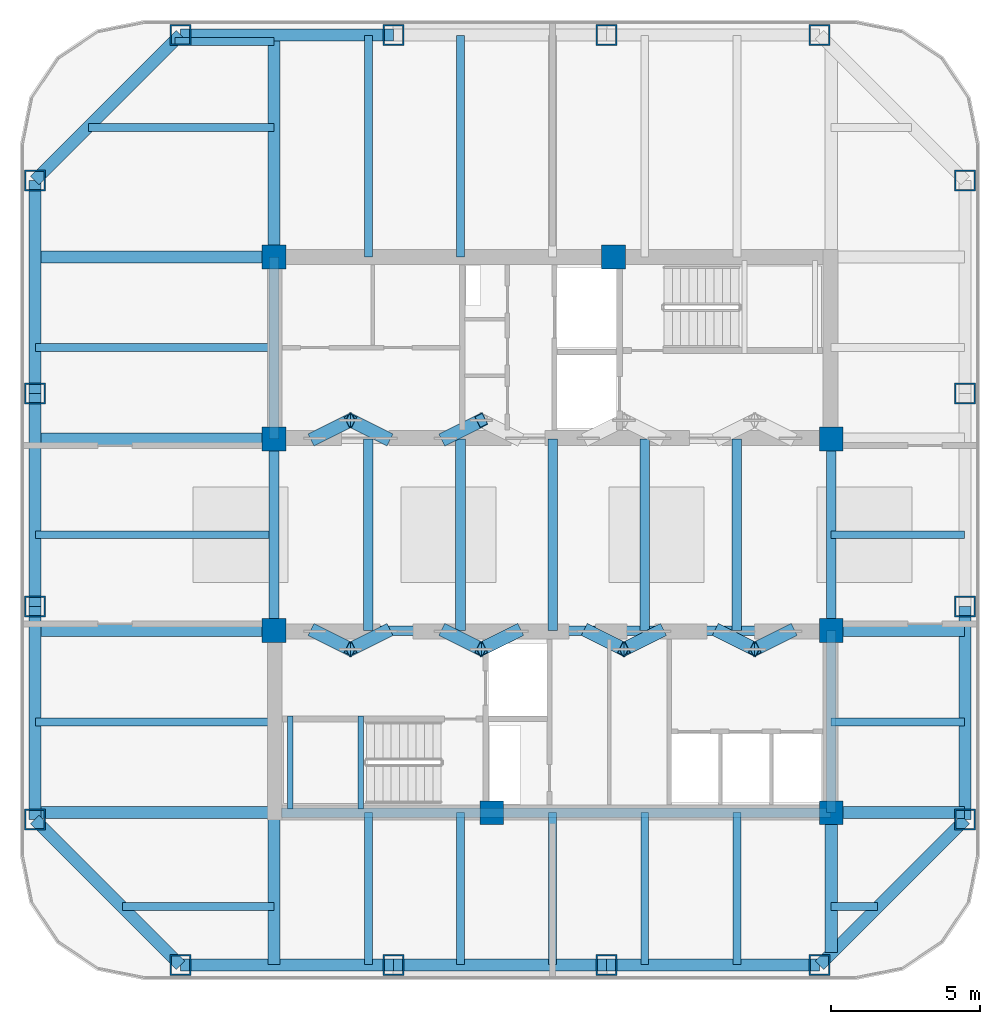
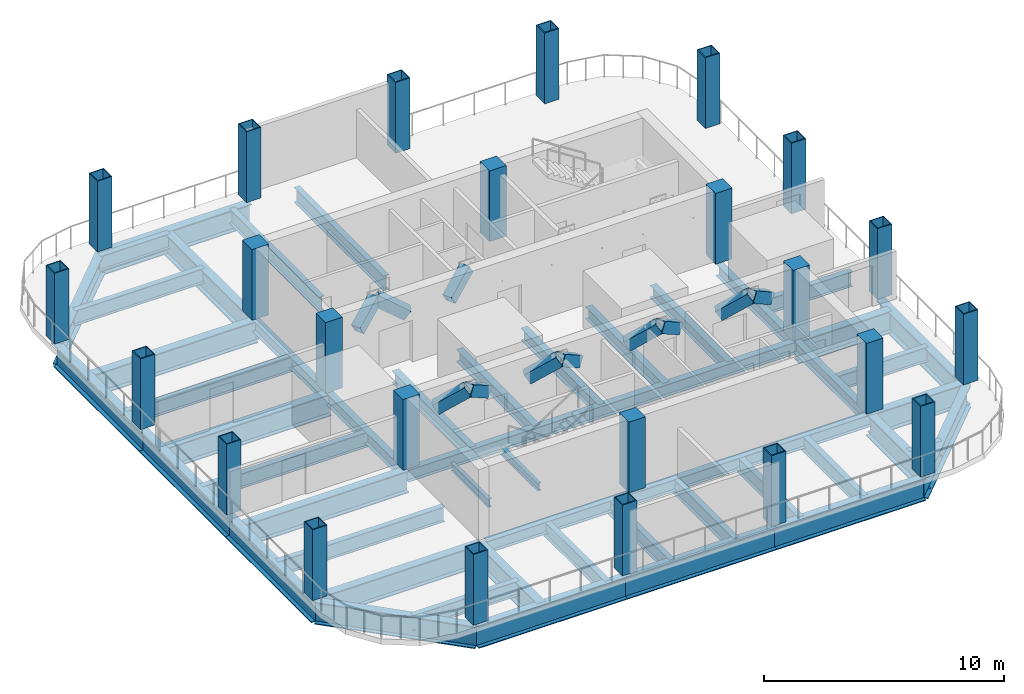
# One storey, part 1 of 9: 49 beams, 24 columns, 11 members.
"""IFC4 building model written with IfcOpenShell, lengths in metres."""

import ifcopenshell
import ifcopenshell.guid

model = None  # the IFC model being written
_history = None  # IfcOwnerHistory: only IFC2X3 demands one
_inside = {}  # id of a spatial element -> (the spatial element, [elements in it])
_under = {}  # id of a project, library or spatial element -> (it, [spatial elements below it])
_declared = {}  # id of a project -> (the project, [libraries it declares])
_typed = {}  # id of a type object -> (the type object, [elements of that type])
_made_of = {}  # id of a material, layer set ... -> (it, [elements and type objects made of it])


def new_model(schema):
    """Start an empty IFC model of exactly this schema.

    Asked for "IFC4X3", IfcOpenShell would pick the latest addendum, in which some entities
    have other attributes; the version numbers below select the first issue.
    IFC2X3 requires an IfcOwnerHistory on every rooted entity: one is made here for all.
    """
    global model, _history
    if schema == "IFC4X3":
        model = ifcopenshell.file(schema_version=(4, 3, 0, 0))
    else:
        model = ifcopenshell.file(schema=schema)
    _inside.clear()
    _under.clear()
    _declared.clear()
    _typed.clear()
    _made_of.clear()
    _history = None
    if model.schema == "IFC2X3":
        org = make("IfcOrganization", Name="unknown")
        user = make(
            "IfcPersonAndOrganization",
            ThePerson=make("IfcPerson", FamilyName="unknown"),
            TheOrganization=org,
        )
        app = make(
            "IfcApplication",
            ApplicationDeveloper=org,
            Version="unknown",
            ApplicationFullName="unknown",
            ApplicationIdentifier="unknown",
        )
        _history = make(
            "IfcOwnerHistory",
            OwningUser=user,
            OwningApplication=app,
            ChangeAction="ADDED",
            CreationDate=0,
        )
    return model


def make(cls, **values):
    """One entity of the class cls with the attributes given. An attribute that is None is left unset."""
    return model.create_entity(
        cls, **{name: value for name, value in values.items() if value is not None}
    )


def rooted(cls, **values):
    """An entity with a GlobalId (a new one), such as an element, a storey or a relation."""
    return make(cls, GlobalId=ifcopenshell.guid.new(), OwnerHistory=_history, **values)


def si_unit(unit_type, name, prefix=None):
    """IfcSIUnit, for example si_unit("LENGTHUNIT", "METRE", prefix="MILLI")."""
    return make("IfcSIUnit", UnitType=unit_type, Prefix=prefix, Name=name)


def assignment(units):
    """IfcUnitAssignment: the units of a project."""
    return None if units is None else make("IfcUnitAssignment", Units=units)


def point(xyz):
    """IfcCartesianPoint."""
    return None if xyz is None else make("IfcCartesianPoint", Coordinates=xyz)


def direction(xyz):
    """IfcDirection."""
    return None if xyz is None else make("IfcDirection", DirectionRatios=xyz)


def frame(location, z_axis=None, x_axis=None):
    """IfcAxis2Placement3D, a coordinate frame: its origin and axes. An axis left out is left unset."""
    return make(
        "IfcAxis2Placement3D",
        Location=point(location),
        Axis=direction(z_axis),
        RefDirection=direction(x_axis),
    )


def frame_2d(location, x_axis=None):
    """IfcAxis2Placement2D, a coordinate frame in the plane: its origin and x axis."""
    return make(
        "IfcAxis2Placement2D", Location=point(location), RefDirection=direction(x_axis)
    )


def origin():
    """The frame at (0, 0, 0) with its axes left unset."""
    return frame((0.0, 0.0, 0.0))


def origin_2d():
    """The frame at (0, 0) in the plane with its x axis left unset."""
    return frame_2d((0.0, 0.0))


def place(relative_to, where):
    """IfcLocalPlacement: puts the frame where relative to a parent placement (None: the world)."""
    return make(
        "IfcLocalPlacement", PlacementRelTo=relative_to, RelativePlacement=where
    )


def context(
    kind, dimensions, precision=None, world=None, true_north=None, identifier=None
):
    """IfcGeometricRepresentationContext, for example the 3D "Model" context."""
    return make(
        "IfcGeometricRepresentationContext",
        ContextIdentifier=identifier,
        ContextType=kind,
        CoordinateSpaceDimension=dimensions,
        Precision=precision,
        WorldCoordinateSystem=world,
        TrueNorth=true_north,
    )


def subcontext(parent, identifier, kind, view, scale=None):
    """IfcGeometricRepresentationSubContext, for example "Body" below "Model"."""
    return make(
        "IfcGeometricRepresentationSubContext",
        ContextIdentifier=identifier,
        ContextType=kind,
        ParentContext=parent,
        TargetScale=scale,
        TargetView=view,
    )


def project(units=None, contexts=None):
    """IfcProject with its units and contexts."""
    return rooted(
        "IfcProject",
        Name="project",
        RepresentationContexts=contexts,
        UnitsInContext=assignment(units),
    )


def spatial(cls, under=None, at=None, **own):
    """A site, building, storey or space (cls), placed at a placement, below another one or the project."""
    s = rooted(cls, ObjectPlacement=at, **own)
    if under is not None:
        _under.setdefault(under.id(), (under, []))[1].append(s)
    return s


def profile(cls, at=None, kind="AREA", **sizes):
    """A parametric profile (cls). Its sizes go by their IFC names, for example OverallWidth=200.0."""
    return make(cls, ProfileType=kind, Position=at, **sizes)


def rectangle(**sizes):
    """IfcRectangleProfileDef."""
    return profile("IfcRectangleProfileDef", **sizes)


def hollow_rectangle(**sizes):
    """IfcRectangleHollowProfileDef."""
    return profile("IfcRectangleHollowProfileDef", **sizes)


def i_section(**sizes):
    """IfcIShapeProfileDef."""
    return profile("IfcIShapeProfileDef", **sizes)


def extrude(swept, where, along, depth):
    """IfcExtrudedAreaSolid: the profile swept, set in the frame where, extruded along a direction by depth."""
    return make(
        "IfcExtrudedAreaSolid",
        SweptArea=swept,
        Position=where,
        ExtrudedDirection=direction(along),
        Depth=depth,
    )


def shape(context_of_items, identifier, shape_type, items):
    """IfcShapeRepresentation: the items that make up one representation, for example the "Body"."""
    return make(
        "IfcShapeRepresentation",
        ContextOfItems=context_of_items,
        RepresentationIdentifier=identifier,
        RepresentationType=shape_type,
        Items=items,
    )


def material(Name=None, Category=None):
    """IfcMaterial."""
    return make("IfcMaterial", Name=Name, Category=Category)


def material_profile(
    of_material, cross_section, Name=None, Category=None, Priority=None
):
    """IfcMaterialProfile: a cross section and its material."""
    return make(
        "IfcMaterialProfile",
        Name=Name,
        Material=of_material,
        Profile=cross_section,
        Priority=Priority,
        Category=Category,
    )


def profile_set(profiles, Name=None, composite=None):
    """IfcMaterialProfileSet."""
    return make(
        "IfcMaterialProfileSet",
        Name=Name,
        MaterialProfiles=profiles,
        CompositeProfile=composite,
    )


def made_of(thing, what):
    """Note that an element or type object is made of a material, layer set ...; save() writes the relation."""
    if what is not None:
        _made_of.setdefault(what.id(), (what, []))[1].append(thing)
    return thing


def type_object(cls, material=None, **own):
    """A type object (cls), such as IfcWallType, which elements share."""
    return made_of(rooted(cls, **own), material)


def element(
    cls,
    number,
    at=None,
    inside=None,
    cuts=None,
    type_object=None,
    material=None,
    context=None,
    identifier="Body",
    shape_type=None,
    held_by="IfcProductDefinitionShape",
    body=None,
    shapes=None,
    **own,
):
    """One element of the class cls, such as IfcWall. Its Tag is "e" and its number.

    at: its placement. inside: the storey or other place that contains it. cuts: it is an
    opening in that element (IfcRelVoidsElement). A single representation is given by context,
    identifier, shape_type and body (its items); several are given by shapes. held_by: the class
    of the entity that holds the representations. save() writes the other relations.
    """
    e = rooted(cls, Tag="e%d" % number, ObjectPlacement=at, **own)
    if body is not None:
        shapes = [shape(context, identifier, shape_type, body)]
    if shapes is not None:
        e.Representation = make(held_by, Representations=shapes)
    if inside is not None:
        _inside.setdefault(inside.id(), (inside, []))[1].append(e)
    if cuts is not None:
        rooted(
            "IfcRelVoidsElement", RelatingBuildingElement=cuts, RelatedOpeningElement=e
        )
    if type_object is not None:
        _typed.setdefault(type_object.id(), (type_object, []))[1].append(e)
    return made_of(e, material)


def aggregate(whole, parts):
    """IfcRelAggregates: a whole, such as a stair, and the parts it consists of."""
    return rooted("IfcRelAggregates", RelatingObject=whole, RelatedObjects=parts)


def save(model, path):
    """Write the relations noted so far, then the file.

    IfcRelAggregates (storeys below a building ...), IfcRelContainedInSpatialStructure (elements
    in a storey), IfcRelDefinesByType, IfcRelAssociatesMaterial and IfcRelDeclares: one each for
    every whole, place, type object, material and project.
    """
    for whole, parts in _under.values():
        aggregate(whole, parts)
    for where, things in _inside.values():
        rooted(
            "IfcRelContainedInSpatialStructure",
            RelatedElements=things,
            RelatingStructure=where,
        )
    for kind, things in _typed.values():
        rooted("IfcRelDefinesByType", RelatedObjects=things, RelatingType=kind)
    for what, things in _made_of.values():
        rooted("IfcRelAssociatesMaterial", RelatedObjects=things, RelatingMaterial=what)
    for by, libraries in _declared.values():
        rooted("IfcRelDeclares", RelatingContext=by, RelatedDefinitions=libraries)
    model.write(path)


model = new_model("IFC4")

# Units and contexts
model_context = context("Model", 3, precision=1e-05, world=origin(), true_north=direction((0.0, 1.0)))
body_context = subcontext(model_context, "Body", "Model", "MODEL_VIEW")
ifc_project = project(units=[si_unit("LENGTHUNIT", "METRE"), si_unit("AREAUNIT", "SQUARE_METRE"), si_unit("VOLUMEUNIT", "CUBIC_METRE"), si_unit("PLANEANGLEUNIT", "RADIAN"), si_unit("MASSUNIT", "GRAM", prefix="KILO")], contexts=[model_context])

# Site, building, storey
site_placement = place(None, origin())
site = spatial("IfcSite", under=ifc_project, at=site_placement, CompositionType="ELEMENT")
building_placement = place(site_placement, origin())
building = spatial("IfcBuilding", under=site, at=building_placement, Name="Qhalaya Broadcast Tower", CompositionType="ELEMENT")
storey_placement = place(building_placement, frame((0.0, 0.0, 191.550048828125)))
storey = spatial("IfcBuildingStorey", under=building, at=storey_placement, Name="L56", CompositionType="ELEMENT", Elevation=191.550048828125)

# Columns
ifc_material_1 = material(Name="Concrete C50/60", Category="concrete")
ifc_material_profile_1 = material_profile(ifc_material_1, rectangle(XDim=0.800048828125, YDim=0.800048828125, at=origin_2d()), Name="RC-COL 800x800")
ifc_profile_set_1 = profile_set([ifc_material_profile_1], Name="Concrete C50/60")
column_type_1 = type_object("IfcColumnType", Name="RC Upper Column C10", PredefinedType="COLUMN", material=ifc_profile_set_1)
for number, where, z_axis, x_axis, name in (
    (1, (-9.375, 9.949951171875, 0.0), (0.0, 0.0, 1.0), (1.0, 0.0, 0.0), "L56 Column COL-CC1"),
    (2, (2.050048828125, 9.949951171875, 0.0), (0.0, 0.0, 1.0), (1.0, 0.0, 0.0), "L56 Column COL-CC2"),
    (3, (-9.375, 3.824951171875, 0.0), (0.0, 0.0, 1.0), (1.0, 0.0, 0.0), "L56 Column COL-CC3"),
    (4, (9.375, 3.824951171875, 0.0), (0.0, 0.0, 1.0), (1.0, 0.0, 0.0), "L56 Column COL-CC4"),
    (5, (-9.375, -2.625, 0.0), (0.0, 0.0, 1.0), (1.0, 0.0, 0.0), "L56 Column COL-CC5"),
    (6, (9.375, -2.625, 0.0), (0.0, 0.0, 1.0), (1.0, 0.0, 0.0), "L56 Column COL-CC6"),
    (7, (-2.050048828125, -8.75, 0.0), (0.0, 0.0, 1.0), (1.0, 0.0, 0.0), "L56 Column COL-CC7"),
    (8, (9.375, -8.75, 0.0), (0.0, 0.0, 1.0), (1.0, 0.0, 0.0), "L56 Column COL-CC8"),
):
    element("IfcColumn", number, at=place(storey_placement, frame(where, z_axis=z_axis, x_axis=x_axis)), inside=storey, type_object=column_type_1, Name=name, PredefinedType="COLUMN", context=body_context, shape_type="SweptSolid", body=[
        extrude(rectangle(XDim=0.800048828125, YDim=0.800048828125, at=origin_2d()), origin(), (0.0, 0.0, 1.0), 3.599853515625),
    ])
ifc_material_2 = material(Name="Structural Steel ASTM A572 Grade 50", Category="steel")
ifc_material_profile_2 = material_profile(ifc_material_2, hollow_rectangle(XDim=0.699951171875, YDim=0.699951171875, WallThickness=0.044921875, at=origin_2d()), Name="BOX 700x700x45")
ifc_profile_set_2 = profile_set([ifc_material_profile_2], Name="Structural Steel ASTM A572 Grade 50")
column_type_2 = type_object("IfcColumnType", Name="Steel Box Column C04", PredefinedType="COLUMN", material=ifc_profile_set_2)
for number, where, z_axis, x_axis, name in (
    (9, (-12.52001953125, -13.8798828125, 0.0), (0.0, 0.0, 1.0), (1.0, 0.0, 0.0), "L56 Column COL-NK01"),
    (10, (-5.353271484375, -13.8798828125, 0.0), (0.0, 0.0, 1.0), (1.0, 0.0, 0.0), "L56 Column COL-NK02"),
    (11, (1.813232421875, -13.8798828125, 0.0), (0.0, 0.0, 1.0), (1.0, 0.0, 0.0), "L56 Column COL-NK03"),
    (12, (8.97998046875, -13.8798828125, 0.0), (0.0, 0.0, 1.0), (1.0, 0.0, 0.0), "L56 Column COL-NK04"),
    (13, (13.8798828125, -8.97998046875, 0.0), (0.0, 0.0, 1.0), (0.0, 1.0, 0.0), "L56 Column COL-NK05"),
    (14, (13.8798828125, -1.813232421875, 0.0), (0.0, 0.0, 1.0), (0.0, 1.0, 0.0), "L56 Column COL-NK06"),
    (15, (13.8798828125, 5.353271484375, 0.0), (0.0, 0.0, 1.0), (0.0, 1.0, 0.0), "L56 Column COL-NK07"),
    (16, (13.8798828125, 12.52001953125, 0.0), (0.0, 0.0, 1.0), (0.0, 1.0, 0.0), "L56 Column COL-NK08"),
    (17, (8.97998046875, 17.419921875, 0.0), (0.0, 0.0, 1.0), (1.0, 0.0, 0.0), "L56 Column COL-NK09"),
    (18, (1.813232421875, 17.419921875, 0.0), (0.0, 0.0, 1.0), (1.0, 0.0, 0.0), "L56 Column COL-NK10"),
    (19, (-5.353271484375, 17.419921875, 0.0), (0.0, 0.0, 1.0), (1.0, 0.0, 0.0), "L56 Column COL-NK11"),
    (20, (-12.52001953125, 17.419921875, 0.0), (0.0, 0.0, 1.0), (1.0, 0.0, 0.0), "L56 Column COL-NK12"),
    (21, (-17.419921875, 12.52001953125, 0.0), (0.0, 0.0, 1.0), (0.0, 1.0, 0.0), "L56 Column COL-NK13"),
    (22, (-17.419921875, 5.353271484375, 0.0), (0.0, 0.0, 1.0), (0.0, 1.0, 0.0), "L56 Column COL-NK14"),
    (23, (-17.419921875, -1.813232421875, 0.0), (0.0, 0.0, 1.0), (0.0, 1.0, 0.0), "L56 Column COL-NK15"),
    (24, (-17.419921875, -8.97998046875, 0.0), (0.0, 0.0, 1.0), (0.0, 1.0, 0.0), "L56 Column COL-NK16"),
):
    element("IfcColumn", number, at=place(storey_placement, frame(where, z_axis=z_axis, x_axis=x_axis)), inside=storey, type_object=column_type_2, Name=name, PredefinedType="COLUMN", context=body_context, shape_type="SweptSolid", body=[
        extrude(hollow_rectangle(XDim=0.699951171875, YDim=0.699951171875, WallThickness=0.044921875, at=origin_2d()), origin(), (0.0, 0.0, 1.0), 3.599853515625),
    ])

# Beams
ifc_material_3 = material(Name="Structural Steel ASTM A992 Grade 50", Category="steel")
ifc_material_profile_3 = material_profile(ifc_material_3, i_section(OverallWidth=0.323974609375, OverallDepth=0.612060546875, WebThickness=0.0126953125, FlangeThickness=0.01904296875, at=origin_2d()), Name="W24X104")
ifc_profile_set_3 = profile_set([ifc_material_profile_3], Name="Structural Steel ASTM A992 Grade 50")
beam_type_1 = type_object("IfcBeamType", Name="Core Frame Tie Beam B04", PredefinedType="BEAM", material=ifc_profile_set_3)
beam_1_placement = place(storey_placement, frame((-9.375, 3.824951171875, -0.5859375), z_axis=(0.0, 1.0, 0.0), x_axis=(-1.0, 0.0, 0.0)))
element("IfcBeam", 25, at=beam_1_placement, inside=storey, type_object=beam_type_1, Name="L56 B04 L56-CCN2", PredefinedType="BEAM", context=body_context, shape_type="SweptSolid", body=[
    extrude(i_section(OverallWidth=0.323974609375, OverallDepth=0.612060546875, WebThickness=0.0126953125, FlangeThickness=0.01904296875, at=origin_2d()), origin(), (0.0, 0.0, 1.0), 6.125),
])
beam_2_placement = place(storey_placement, frame((-9.375, -2.625, -0.5859375), z_axis=(1.0, 0.0, 0.0), x_axis=(0.0, 1.0, 0.0)))
element("IfcBeam", 26, at=beam_2_placement, inside=storey, type_object=beam_type_1, Name="L56 B04 L56-CCS1", PredefinedType="BEAM", context=body_context, shape_type="SweptSolid", body=[
    extrude(i_section(OverallWidth=0.323974609375, OverallDepth=0.612060546875, WebThickness=0.0126953125, FlangeThickness=0.01904296875, at=origin_2d()), origin(), (0.0, 0.0, 1.0), 18.75),
])
beam_3_placement = place(storey_placement, frame((9.375, -8.75, -0.5859375), z_axis=(0.0, 1.0, 0.0), x_axis=(-1.0, 0.0, 0.0)))
element("IfcBeam", 27, at=beam_3_placement, inside=storey, type_object=beam_type_1, Name="L56 B04 L56-CCS2", PredefinedType="BEAM", context=body_context, shape_type="SweptSolid", body=[
    extrude(i_section(OverallWidth=0.323974609375, OverallDepth=0.612060546875, WebThickness=0.0126953125, FlangeThickness=0.01904296875, at=origin_2d()), origin(), (0.0, 0.0, 1.0), 6.125),
])
beam_4_placement = place(storey_placement, frame((-9.1201171875, -8.75, -0.5859375), z_axis=(1.0, 0.0, 0.0), x_axis=(0.0, 1.0, 0.0)))
element("IfcBeam", 28, at=beam_4_placement, inside=storey, type_object=beam_type_1, Name="L56 B04 L56-CCS3", PredefinedType="BEAM", context=body_context, shape_type="SweptSolid", body=[
    extrude(i_section(OverallWidth=0.323974609375, OverallDepth=0.612060546875, WebThickness=0.0126953125, FlangeThickness=0.01904296875, at=origin_2d()), origin(), (0.0, 0.0, 1.0), 18.4951171875),
])
for number, where, z_axis, x_axis, name in (
    (29, (-9.375, -2.625, -0.5859375), (0.0, 1.0, 0.0), (-1.0, 0.0, 0.0), "L56 B04 L56-CCW"),
    (30, (9.375, -2.625, -0.5859375), (0.0, 1.0, 0.0), (-1.0, 0.0, 0.0), "L56 B04 L56-CCE"),
    (31, (-6.199951171875, -2.625, -0.5859375), (0.0, 1.0, 0.0), (-1.0, 0.0, 0.0), "L56 B04 L56-JC1-1"),
    (32, (-3.10009765625, -2.625, -0.5859375), (0.0, 1.0, 0.0), (-1.0, 0.0, 0.0), "L56 B04 L56-JC2-1"),
    (33, (0.0, -2.625, -0.5859375), (0.0, 1.0, 0.0), (-1.0, 0.0, 0.0), "L56 B04 L56-JC3-1"),
    (34, (3.10009765625, -2.625, -0.5859375), (0.0, 1.0, 0.0), (-1.0, 0.0, 0.0), "L56 B04 L56-JC4-1"),
    (35, (6.199951171875, -2.625, -0.5859375), (0.0, 1.0, 0.0), (-1.0, 0.0, 0.0), "L56 B04 L56-JC5-1"),
):
    element("IfcBeam", number, at=place(storey_placement, frame(where, z_axis=z_axis, x_axis=x_axis)), inside=storey, type_object=beam_type_1, Name=name, PredefinedType="BEAM", context=body_context, shape_type="SweptSolid", body=[
        extrude(i_section(OverallWidth=0.323974609375, OverallDepth=0.612060546875, WebThickness=0.0126953125, FlangeThickness=0.01904296875, at=origin_2d()), origin(), (0.0, 0.0, 1.0), 6.449951171875),
    ])
ifc_material_profile_4 = material_profile(ifc_material_3, i_section(OverallWidth=0.26708984375, OverallDepth=0.761962890625, WebThickness=0.014404296875, FlangeThickness=0.021484375, at=origin_2d()), Name="W30X116")
ifc_profile_set_4 = profile_set([ifc_material_profile_4], Name="Structural Steel ASTM A992 Grade 50")
beam_type_2 = type_object("IfcBeamType", Name="Plant & Server Floor Beam B02", PredefinedType="BEAM", material=ifc_profile_set_4)
beam_5_placement = place(storey_placement, frame((-6.199951171875, -13.860107421875, -0.6611328125), z_axis=(0.0, 1.0, 0.0), x_axis=(-1.0, 0.0, 0.0)))
element("IfcBeam", 36, at=beam_5_placement, inside=storey, type_object=beam_type_2, Name="L56 B02 L56-JNS1-1", PredefinedType="BEAM", context=body_context, shape_type="SweptSolid", body=[
    extrude(i_section(OverallWidth=0.26708984375, OverallDepth=0.761962890625, WebThickness=0.014404296875, FlangeThickness=0.021484375, at=origin_2d()), origin(), (0.0, 0.0, 1.0), 5.110107421875),
])
beam_6_placement = place(storey_placement, frame((-6.199951171875, 9.949951171875, -0.6611328125), z_axis=(0.0, 1.0, 0.0), x_axis=(-1.0, 0.0, 0.0)))
element("IfcBeam", 37, at=beam_6_placement, inside=storey, type_object=beam_type_2, Name="L56 B02 L56-JNN1-1", PredefinedType="BEAM", context=body_context, shape_type="SweptSolid", body=[
    extrude(i_section(OverallWidth=0.26708984375, OverallDepth=0.761962890625, WebThickness=0.014404296875, FlangeThickness=0.021484375, at=origin_2d()), origin(), (0.0, 0.0, 1.0), 7.449951171875),
])
beam_7_placement = place(storey_placement, frame((-3.10009765625, -13.860107421875, -0.6611328125), z_axis=(0.0, 1.0, 0.0), x_axis=(-1.0, 0.0, 0.0)))
element("IfcBeam", 38, at=beam_7_placement, inside=storey, type_object=beam_type_2, Name="L56 B02 L56-JNS2-1", PredefinedType="BEAM", context=body_context, shape_type="SweptSolid", body=[
    extrude(i_section(OverallWidth=0.26708984375, OverallDepth=0.761962890625, WebThickness=0.014404296875, FlangeThickness=0.021484375, at=origin_2d()), origin(), (0.0, 0.0, 1.0), 5.110107421875),
])
beam_8_placement = place(storey_placement, frame((-3.10009765625, 9.949951171875, -0.6611328125), z_axis=(0.0, 1.0, 0.0), x_axis=(-1.0, 0.0, 0.0)))
element("IfcBeam", 39, at=beam_8_placement, inside=storey, type_object=beam_type_2, Name="L56 B02 L56-JNN2-1", PredefinedType="BEAM", context=body_context, shape_type="SweptSolid", body=[
    extrude(i_section(OverallWidth=0.26708984375, OverallDepth=0.761962890625, WebThickness=0.014404296875, FlangeThickness=0.021484375, at=origin_2d()), origin(), (0.0, 0.0, 1.0), 7.449951171875),
])
for number, where, z_axis, x_axis, name in (
    (40, (0.0, -13.860107421875, -0.6611328125), (0.0, 1.0, 0.0), (-1.0, 0.0, 0.0), "L56 B02 L56-JNS3-1"),
    (41, (3.10009765625, -13.860107421875, -0.6611328125), (0.0, 1.0, 0.0), (-1.0, 0.0, 0.0), "L56 B02 L56-JNS4-1"),
    (42, (6.199951171875, -13.860107421875, -0.6611328125), (0.0, 1.0, 0.0), (-1.0, 0.0, 0.0), "L56 B02 L56-JNS5-1"),
):
    element("IfcBeam", number, at=place(storey_placement, frame(where, z_axis=z_axis, x_axis=x_axis)), inside=storey, type_object=beam_type_2, Name=name, PredefinedType="BEAM", context=body_context, shape_type="SweptSolid", body=[
        extrude(i_section(OverallWidth=0.26708984375, OverallDepth=0.761962890625, WebThickness=0.014404296875, FlangeThickness=0.021484375, at=origin_2d()), origin(), (0.0, 0.0, 1.0), 5.110107421875),
    ])
beam_9_placement = place(storey_placement, frame((-14.4716796875, -11.89990234375, -0.6611328125), z_axis=(1.0, 0.0, 0.0), x_axis=(0.0, 1.0, 0.0)))
element("IfcBeam", 43, at=beam_9_placement, inside=storey, type_object=beam_type_2, Name="L56 B02 L56-JWE2W-1", PredefinedType="BEAM", context=body_context, shape_type="SweptSolid", body=[
    extrude(i_section(OverallWidth=0.26708984375, OverallDepth=0.761962890625, WebThickness=0.014404296875, FlangeThickness=0.021484375, at=origin_2d()), origin(), (0.0, 0.0, 1.0), 5.0966796875),
])
beam_10_placement = place(storey_placement, frame((9.375, -11.89990234375, -0.6611328125), z_axis=(1.0, 0.0, 0.0), x_axis=(0.0, 1.0, 0.0)))
element("IfcBeam", 44, at=beam_10_placement, inside=storey, type_object=beam_type_2, Name="L56 B02 L56-JWE2E-1", PredefinedType="BEAM", context=body_context, shape_type="SweptSolid", body=[
    extrude(i_section(OverallWidth=0.26708984375, OverallDepth=0.761962890625, WebThickness=0.014404296875, FlangeThickness=0.021484375, at=origin_2d()), origin(), (0.0, 0.0, 1.0), 1.556640625),
])
beam_11_placement = place(storey_placement, frame((-17.39990234375, -5.699951171875, -0.6611328125), z_axis=(1.0, 0.0, 0.0), x_axis=(0.0, 1.0, 0.0)))
element("IfcBeam", 45, at=beam_11_placement, inside=storey, type_object=beam_type_2, Name="L56 B02 L56-JWE3W-1", PredefinedType="BEAM", context=body_context, shape_type="SweptSolid", body=[
    extrude(i_section(OverallWidth=0.26708984375, OverallDepth=0.761962890625, WebThickness=0.014404296875, FlangeThickness=0.021484375, at=origin_2d()), origin(), (0.0, 0.0, 1.0), 8.02490234375),
])
beam_12_placement = place(storey_placement, frame((9.375, -5.699951171875, -0.6611328125), z_axis=(1.0, 0.0, 0.0), x_axis=(0.0, 1.0, 0.0)))
element("IfcBeam", 46, at=beam_12_placement, inside=storey, type_object=beam_type_2, Name="L56 B02 L56-JWE3E-1", PredefinedType="BEAM", context=body_context, shape_type="SweptSolid", body=[
    extrude(i_section(OverallWidth=0.26708984375, OverallDepth=0.761962890625, WebThickness=0.014404296875, FlangeThickness=0.021484375, at=origin_2d()), origin(), (0.0, 0.0, 1.0), 4.485107421875),
])
beam_13_placement = place(storey_placement, frame((-17.39990234375, 0.60009765625, -0.6611328125), z_axis=(1.0, 0.0, 0.0), x_axis=(0.0, 1.0, 0.0)))
element("IfcBeam", 47, at=beam_13_placement, inside=storey, type_object=beam_type_2, Name="L56 B02 L56-JWE4W-1", PredefinedType="BEAM", context=body_context, shape_type="SweptSolid", body=[
    extrude(i_section(OverallWidth=0.26708984375, OverallDepth=0.761962890625, WebThickness=0.014404296875, FlangeThickness=0.021484375, at=origin_2d()), origin(), (0.0, 0.0, 1.0), 8.02490234375),
])
beam_14_placement = place(storey_placement, frame((9.375, 0.60009765625, -0.6611328125), z_axis=(1.0, 0.0, 0.0), x_axis=(0.0, 1.0, 0.0)))
element("IfcBeam", 48, at=beam_14_placement, inside=storey, type_object=beam_type_2, Name="L56 B02 L56-JWE4E-1", PredefinedType="BEAM", context=body_context, shape_type="SweptSolid", body=[
    extrude(i_section(OverallWidth=0.26708984375, OverallDepth=0.761962890625, WebThickness=0.014404296875, FlangeThickness=0.021484375, at=origin_2d()), origin(), (0.0, 0.0, 1.0), 4.485107421875),
])
beam_15_placement = place(storey_placement, frame((-17.39990234375, 6.89990234375, -0.6611328125), z_axis=(1.0, 0.0, 0.0), x_axis=(0.0, 1.0, 0.0)))
element("IfcBeam", 49, at=beam_15_placement, inside=storey, type_object=beam_type_2, Name="L56 B02 L56-JWE5W-1", PredefinedType="BEAM", context=body_context, shape_type="SweptSolid", body=[
    extrude(i_section(OverallWidth=0.26708984375, OverallDepth=0.761962890625, WebThickness=0.014404296875, FlangeThickness=0.021484375, at=origin_2d()), origin(), (0.0, 0.0, 1.0), 8.02490234375),
])
beam_16_placement = place(storey_placement, frame((-15.61181640625, 14.300048828125, -0.6611328125), z_axis=(1.0, 0.0, 0.0), x_axis=(0.0, 1.0, 0.0)))
element("IfcBeam", 50, at=beam_16_placement, inside=storey, type_object=beam_type_2, Name="L56 B02 L56-JWE6W-1", PredefinedType="BEAM", context=body_context, shape_type="SweptSolid", body=[
    extrude(i_section(OverallWidth=0.26708984375, OverallDepth=0.761962890625, WebThickness=0.014404296875, FlangeThickness=0.021484375, at=origin_2d()), origin(), (0.0, 0.0, 1.0), 6.23681640625),
])
beam_17_placement = place(storey_placement, frame((-12.711669921875, 17.199951171875, -0.6611328125), z_axis=(1.0, 0.0, 0.0), x_axis=(0.0, 1.0, 0.0)))
element("IfcBeam", 51, at=beam_17_placement, inside=storey, type_object=beam_type_2, Name="L56 B02 L56-JWE7W-1", PredefinedType="BEAM", context=body_context, shape_type="SweptSolid", body=[
    extrude(i_section(OverallWidth=0.26708984375, OverallDepth=0.761962890625, WebThickness=0.014404296875, FlangeThickness=0.021484375, at=origin_2d()), origin(), (0.0, 0.0, 1.0), 3.336669921875),
])
ifc_material_profile_5 = material_profile(ifc_material_3, i_section(OverallWidth=0.404052734375, OverallDepth=1.117919921875, WebThickness=0.026123046875, FlangeThickness=0.044921875, at=origin_2d()), Name="W44X335")
ifc_profile_set_5 = profile_set([ifc_material_profile_5], Name="Structural Steel ASTM A992 Grade 50")
beam_type_3 = type_object("IfcBeamType", Name="Podium Long-Span Primary Girder PG1", PredefinedType="USERDEFINED", material=ifc_profile_set_5)
beam_18_placement = place(storey_placement, frame((-12.52001953125, -13.8798828125, -0.839111328125), z_axis=(1.0, 0.0, 0.0), x_axis=(0.0, 1.0, 0.0)))
element("IfcBeam", 52, at=beam_18_placement, inside=storey, type_object=beam_type_3, Name="L56 PG1 L56-SPR-01", ObjectType="GIRDER", PredefinedType="USERDEFINED", context=body_context, shape_type="SweptSolid", body=[
    extrude(i_section(OverallWidth=0.404052734375, OverallDepth=1.117919921875, WebThickness=0.026123046875, FlangeThickness=0.044921875, at=origin_2d()), origin(), (0.0, 0.0, 1.0), 7.166748046875),
])
beam_19_placement = place(storey_placement, frame((-5.353271484375, -13.8798828125, -0.839111328125), z_axis=(1.0, 0.0, 0.0), x_axis=(0.0, 1.0, 0.0)))
element("IfcBeam", 53, at=beam_19_placement, inside=storey, type_object=beam_type_3, Name="L56 PG1 L56-SPR-02", ObjectType="GIRDER", PredefinedType="USERDEFINED", context=body_context, shape_type="SweptSolid", body=[
    extrude(i_section(OverallWidth=0.404052734375, OverallDepth=1.117919921875, WebThickness=0.026123046875, FlangeThickness=0.044921875, at=origin_2d()), origin(), (0.0, 0.0, 1.0), 7.16650390625),
])
beam_20_placement = place(storey_placement, frame((1.813232421875, -13.8798828125, -0.839111328125), z_axis=(1.0, 0.0, 0.0), x_axis=(0.0, 1.0, 0.0)))
element("IfcBeam", 54, at=beam_20_placement, inside=storey, type_object=beam_type_3, Name="L56 PG1 L56-SPR-03", ObjectType="GIRDER", PredefinedType="USERDEFINED", context=body_context, shape_type="SweptSolid", body=[
    extrude(i_section(OverallWidth=0.404052734375, OverallDepth=1.117919921875, WebThickness=0.026123046875, FlangeThickness=0.044921875, at=origin_2d()), origin(), (0.0, 0.0, 1.0), 7.166748046875),
])
beam_21_placement = place(storey_placement, frame((8.97998046875, -13.8798828125, -0.839111328125), z_axis=(0.707106781187, 0.707106781187, 0.0), x_axis=(-0.707106781187, 0.707106781187, 0.0)))
element("IfcBeam", 55, at=beam_21_placement, inside=storey, type_object=beam_type_3, Name="L56 PG1 L56-SPR-04", ObjectType="GIRDER", PredefinedType="USERDEFINED", context=body_context, shape_type="SweptSolid", body=[
    extrude(i_section(OverallWidth=0.404052734375, OverallDepth=1.117919921875, WebThickness=0.026123046875, FlangeThickness=0.044921875, at=origin_2d()), origin(), (0.0, 0.0, 1.0), 6.929443359375),
])
for number, where, z_axis, x_axis, name in (
    (56, (13.8798828125, -8.97998046875, -0.839111328125), (0.0, 1.0, 0.0), (-1.0, 0.0, 0.0), "L56 PG1 L56-SPR-05"),
    (57, (-5.353271484375, 17.419921875, -0.839111328125), (-1.0, 0.0, 0.0), (0.0, -1.0, 0.0), "L56 PG1 L56-SPR-11"),
):
    element("IfcBeam", number, at=place(storey_placement, frame(where, z_axis=z_axis, x_axis=x_axis)), inside=storey, type_object=beam_type_3, Name=name, ObjectType="GIRDER", PredefinedType="USERDEFINED", context=body_context, shape_type="SweptSolid", body=[
        extrude(i_section(OverallWidth=0.404052734375, OverallDepth=1.117919921875, WebThickness=0.026123046875, FlangeThickness=0.044921875, at=origin_2d()), origin(), (0.0, 0.0, 1.0), 7.166748046875),
    ])
beam_22_placement = place(storey_placement, frame((-12.52001953125, 17.419921875, -0.839111328125), z_axis=(-0.707106781187, -0.707106781187, 0.0), x_axis=(0.707106781187, -0.707106781187, 0.0)))
element("IfcBeam", 58, at=beam_22_placement, inside=storey, type_object=beam_type_3, Name="L56 PG1 L56-SPR-12", ObjectType="GIRDER", PredefinedType="USERDEFINED", context=body_context, shape_type="SweptSolid", body=[
    extrude(i_section(OverallWidth=0.404052734375, OverallDepth=1.117919921875, WebThickness=0.026123046875, FlangeThickness=0.044921875, at=origin_2d()), origin(), (0.0, 0.0, 1.0), 6.929443359375),
])
beam_23_placement = place(storey_placement, frame((-17.419921875, 12.52001953125, -0.839111328125), z_axis=(0.0, -1.0, 0.0), x_axis=(1.0, 0.0, 0.0)))
element("IfcBeam", 59, at=beam_23_placement, inside=storey, type_object=beam_type_3, Name="L56 PG1 L56-SPR-13", ObjectType="GIRDER", PredefinedType="USERDEFINED", context=body_context, shape_type="SweptSolid", body=[
    extrude(i_section(OverallWidth=0.404052734375, OverallDepth=1.117919921875, WebThickness=0.026123046875, FlangeThickness=0.044921875, at=origin_2d()), origin(), (0.0, 0.0, 1.0), 7.166748046875),
])
beam_24_placement = place(storey_placement, frame((-17.419921875, 5.353271484375, -0.839111328125), z_axis=(0.0, -1.0, 0.0), x_axis=(1.0, 0.0, 0.0)))
element("IfcBeam", 60, at=beam_24_placement, inside=storey, type_object=beam_type_3, Name="L56 PG1 L56-SPR-14", ObjectType="GIRDER", PredefinedType="USERDEFINED", context=body_context, shape_type="SweptSolid", body=[
    extrude(i_section(OverallWidth=0.404052734375, OverallDepth=1.117919921875, WebThickness=0.026123046875, FlangeThickness=0.044921875, at=origin_2d()), origin(), (0.0, 0.0, 1.0), 7.16650390625),
])
beam_25_placement = place(storey_placement, frame((-17.419921875, -1.813232421875, -0.839111328125), z_axis=(0.0, -1.0, 0.0), x_axis=(1.0, 0.0, 0.0)))
element("IfcBeam", 61, at=beam_25_placement, inside=storey, type_object=beam_type_3, Name="L56 PG1 L56-SPR-15", ObjectType="GIRDER", PredefinedType="USERDEFINED", context=body_context, shape_type="SweptSolid", body=[
    extrude(i_section(OverallWidth=0.404052734375, OverallDepth=1.117919921875, WebThickness=0.026123046875, FlangeThickness=0.044921875, at=origin_2d()), origin(), (0.0, 0.0, 1.0), 7.166748046875),
])
beam_26_placement = place(storey_placement, frame((-17.419921875, -8.97998046875, -0.839111328125), z_axis=(0.707106781187, -0.707106781187, 0.0), x_axis=(0.707106781187, 0.707106781187, 0.0)))
element("IfcBeam", 62, at=beam_26_placement, inside=storey, type_object=beam_type_3, Name="L56 PG1 L56-SPR-16", ObjectType="GIRDER", PredefinedType="USERDEFINED", context=body_context, shape_type="SweptSolid", body=[
    extrude(i_section(OverallWidth=0.404052734375, OverallDepth=1.117919921875, WebThickness=0.026123046875, FlangeThickness=0.044921875, at=origin_2d()), origin(), (0.0, 0.0, 1.0), 6.929443359375),
])
beam_27_placement = place(storey_placement, frame((-9.375, -13.860107421875, -0.839111328125), z_axis=(0.0, 1.0, 0.0), x_axis=(-1.0, 0.0, 0.0)))
element("IfcBeam", 63, at=beam_27_placement, inside=storey, type_object=beam_type_3, Name="L56 PG1 L56-PGXS1-1", ObjectType="GIRDER", PredefinedType="USERDEFINED", context=body_context, shape_type="SweptSolid", body=[
    extrude(i_section(OverallWidth=0.404052734375, OverallDepth=1.117919921875, WebThickness=0.026123046875, FlangeThickness=0.044921875, at=origin_2d()), origin(), (0.0, 0.0, 1.0), 5.110107421875),
])
beam_28_placement = place(storey_placement, frame((-9.375, 9.949951171875, -0.839111328125), z_axis=(0.0, 1.0, 0.0), x_axis=(-1.0, 0.0, 0.0)))
element("IfcBeam", 64, at=beam_28_placement, inside=storey, type_object=beam_type_3, Name="L56 PG1 L56-PGXN1-1", ObjectType="GIRDER", PredefinedType="USERDEFINED", context=body_context, shape_type="SweptSolid", body=[
    extrude(i_section(OverallWidth=0.404052734375, OverallDepth=1.117919921875, WebThickness=0.026123046875, FlangeThickness=0.044921875, at=origin_2d()), origin(), (0.0, 0.0, 1.0), 7.449951171875),
])
beam_29_placement = place(storey_placement, frame((9.375, -13.456787109375, -0.839111328125), z_axis=(0.0, 1.0, 0.0), x_axis=(-1.0, 0.0, 0.0)))
element("IfcBeam", 65, at=beam_29_placement, inside=storey, type_object=beam_type_3, Name="L56 PG1 L56-PGXS2-1", ObjectType="GIRDER", PredefinedType="USERDEFINED", context=body_context, shape_type="SweptSolid", body=[
    extrude(i_section(OverallWidth=0.404052734375, OverallDepth=1.117919921875, WebThickness=0.026123046875, FlangeThickness=0.044921875, at=origin_2d()), origin(), (0.0, 0.0, 1.0), 4.706787109375),
])
beam_30_placement = place(storey_placement, frame((-17.39990234375, -8.75, -0.839111328125), z_axis=(1.0, 0.0, 0.0), x_axis=(0.0, 1.0, 0.0)))
element("IfcBeam", 66, at=beam_30_placement, inside=storey, type_object=beam_type_3, Name="L56 PG1 L56-PGYW1-1", ObjectType="GIRDER", PredefinedType="USERDEFINED", context=body_context, shape_type="SweptSolid", body=[
    extrude(i_section(OverallWidth=0.404052734375, OverallDepth=1.117919921875, WebThickness=0.026123046875, FlangeThickness=0.044921875, at=origin_2d()), origin(), (0.0, 0.0, 1.0), 8.02490234375),
])
beam_31_placement = place(storey_placement, frame((9.375, -8.75, -0.839111328125), z_axis=(1.0, 0.0, 0.0), x_axis=(0.0, 1.0, 0.0)))
element("IfcBeam", 67, at=beam_31_placement, inside=storey, type_object=beam_type_3, Name="L56 PG1 L56-PGYE1-1", ObjectType="GIRDER", PredefinedType="USERDEFINED", context=body_context, shape_type="SweptSolid", body=[
    extrude(i_section(OverallWidth=0.404052734375, OverallDepth=1.117919921875, WebThickness=0.026123046875, FlangeThickness=0.044921875, at=origin_2d()), origin(), (0.0, 0.0, 1.0), 4.485107421875),
])
beam_32_placement = place(storey_placement, frame((-17.39990234375, -2.625, -0.839111328125), z_axis=(1.0, 0.0, 0.0), x_axis=(0.0, 1.0, 0.0)))
element("IfcBeam", 68, at=beam_32_placement, inside=storey, type_object=beam_type_3, Name="L56 PG1 L56-PGYW2-1", ObjectType="GIRDER", PredefinedType="USERDEFINED", context=body_context, shape_type="SweptSolid", body=[
    extrude(i_section(OverallWidth=0.404052734375, OverallDepth=1.117919921875, WebThickness=0.026123046875, FlangeThickness=0.044921875, at=origin_2d()), origin(), (0.0, 0.0, 1.0), 8.02490234375),
])
beam_33_placement = place(storey_placement, frame((9.375, -2.625, -0.839111328125), z_axis=(1.0, 0.0, 0.0), x_axis=(0.0, 1.0, 0.0)))
element("IfcBeam", 69, at=beam_33_placement, inside=storey, type_object=beam_type_3, Name="L56 PG1 L56-PGYE2-1", ObjectType="GIRDER", PredefinedType="USERDEFINED", context=body_context, shape_type="SweptSolid", body=[
    extrude(i_section(OverallWidth=0.404052734375, OverallDepth=1.117919921875, WebThickness=0.026123046875, FlangeThickness=0.044921875, at=origin_2d()), origin(), (0.0, 0.0, 1.0), 4.485107421875),
])
for number, where, z_axis, x_axis, name in (
    (70, (-17.39990234375, 3.824951171875, -0.839111328125), (1.0, 0.0, 0.0), (0.0, 1.0, 0.0), "L56 PG1 L56-PGYW3-1"),
    (71, (-17.39990234375, 9.949951171875, -0.839111328125), (1.0, 0.0, 0.0), (0.0, 1.0, 0.0), "L56 PG1 L56-PGYW4-1"),
):
    element("IfcBeam", number, at=place(storey_placement, frame(where, z_axis=z_axis, x_axis=x_axis)), inside=storey, type_object=beam_type_3, Name=name, ObjectType="GIRDER", PredefinedType="USERDEFINED", context=body_context, shape_type="SweptSolid", body=[
        extrude(i_section(OverallWidth=0.404052734375, OverallDepth=1.117919921875, WebThickness=0.026123046875, FlangeThickness=0.044921875, at=origin_2d()), origin(), (0.0, 0.0, 1.0), 8.02490234375),
    ])
ifc_material_profile_6 = material_profile(ifc_material_3, i_section(OverallWidth=0.177978515625, OverallDepth=0.406005859375, WebThickness=0.0078125, FlangeThickness=0.0126953125, at=origin_2d()), Name="W16X40")
ifc_profile_set_6 = profile_set([ifc_material_profile_6], Name="Structural Steel ASTM A992 Grade 50")
beam_type_4 = type_object("IfcBeamType", Name="Upper Perimeter Spandrel Beam SP2", PredefinedType="SPANDREL", material=ifc_profile_set_6)
for number, where, z_axis, x_axis, name in (
    (72, (-8.830078125, -8.6201171875, 1.39697265625), (0.0, 1.0, 0.0), (-1.0, 0.0, 0.0), "L56 ST-2 Half-Landing Bearer Beam 1"),
    (73, (-6.455078125, -8.6201171875, 1.39697265625), (0.0, 1.0, 0.0), (-1.0, 0.0, 0.0), "L56 ST-2 Half-Landing Bearer Beam 2"),
):
    element("IfcBeam", number, at=place(storey_placement, frame(where, z_axis=z_axis, x_axis=x_axis)), inside=storey, type_object=beam_type_4, Name=name, PredefinedType="SPANDREL", context=body_context, shape_type="SweptSolid", body=[
        extrude(i_section(OverallWidth=0.177978515625, OverallDepth=0.406005859375, WebThickness=0.0078125, FlangeThickness=0.0126953125, at=origin_2d()), origin(), (0.0, 0.0, 1.0), 3.1201171875),
    ])

# Members
ifc_material_profile_7 = material_profile(ifc_material_2, hollow_rectangle(XDim=0.449951171875, YDim=0.550048828125, WallThickness=0.031982421875, at=origin_2d()), Name="BOX 450x550x32")
ifc_profile_set_7 = profile_set([ifc_material_profile_7], Name="Structural Steel ASTM A572 Grade 50")
member_type = type_object("IfcMemberType", Name="Wind-Turbine Slot Portal Strut ST1", PredefinedType="STRUT", material=ifc_profile_set_7)
for number, where, z_axis, x_axis, name in (
    (74, (-8.0, -2.64990234375, 2.3798828125), (0.758044857868, -0.379099544383, 0.530708515956), (0.44728638269, 0.894390793703, 0.0), "L56 Turbine Slot Portal Strut S1A"),
    (75, (-5.60009765625, -2.64990234375, 2.3798828125), (-0.758044857868, -0.379099544383, 0.530708515956), (0.44728638269, -0.894390793703, 0.0), "L56 Turbine Slot Portal Strut S1B"),
):
    element("IfcMember", number, at=place(storey_placement, frame(where, z_axis=z_axis, x_axis=x_axis)), inside=storey, type_object=member_type, Name=name, PredefinedType="STRUT", context=body_context, shape_type="SweptSolid", body=[
        extrude(hollow_rectangle(XDim=0.449951171875, YDim=0.550048828125, WallThickness=0.031982421875, at=origin_2d()), origin(), (0.0, 0.0, 1.0), 1.5830078125),
    ])
for number, where, z_axis, x_axis, name in (
    (76, (-8.0, 3.85009765625, 2.3798828125), (0.758089174759, 0.378967467423, 0.530739542288), (-0.447140799424, 0.894463585335, 0.0), "L56 Turbine Slot Portal Strut N1A"),
    (77, (-5.60009765625, 3.85009765625, 2.3798828125), (-0.758089174759, 0.378967467423, 0.530739542288), (-0.447140799424, -0.894463585335, 0.0), "L56 Turbine Slot Portal Strut N1B"),
):
    element("IfcMember", number, at=place(storey_placement, frame(where, z_axis=z_axis, x_axis=x_axis)), inside=storey, type_object=member_type, Name=name, PredefinedType="STRUT", context=body_context, shape_type="SweptSolid", body=[
        extrude(hollow_rectangle(XDim=0.449951171875, YDim=0.550048828125, WallThickness=0.031982421875, at=origin_2d()), origin(), (0.0, 0.0, 1.0), 1.582763671875),
    ])
member_1_placement = place(storey_placement, frame((-3.60009765625, -2.64990234375, 2.3798828125), z_axis=(0.758110451252, -0.379055225626, 0.530646473303), x_axis=(0.4472135955, 0.894427191, 0.0)))
element("IfcMember", 78, at=member_1_placement, inside=storey, type_object=member_type, Name="L56 Turbine Slot Portal Strut S2A", PredefinedType="STRUT", context=body_context, shape_type="SweptSolid", body=[
    extrude(hollow_rectangle(XDim=0.449951171875, YDim=0.550048828125, WallThickness=0.031982421875, at=origin_2d()), origin(), (0.0, 0.0, 1.0), 1.583251953125),
])
for number, where, z_axis, x_axis, name in (
    (79, (-1.199951171875, -2.64990234375, 2.3798828125), (-0.758044857868, -0.379099544383, 0.530708515956), (0.44728638269, -0.894390793703, 0.0), "L56 Turbine Slot Portal Strut S2B"),
    (80, (-3.60009765625, 3.85009765625, 2.3798828125), (0.758154761614, 0.378923158927, 0.530677488754), (-0.447068024083, 0.894499961902, 0.0), "L56 Turbine Slot Portal Strut N2A"),
    (81, (1.199951171875, -2.64990234375, 2.3798828125), (0.758044857868, -0.379099544383, 0.530708515956), (0.44728638269, 0.894390793703, 0.0), "L56 Turbine Slot Portal Strut S3A"),
):
    element("IfcMember", number, at=place(storey_placement, frame(where, z_axis=z_axis, x_axis=x_axis)), inside=storey, type_object=member_type, Name=name, PredefinedType="STRUT", context=body_context, shape_type="SweptSolid", body=[
        extrude(hollow_rectangle(XDim=0.449951171875, YDim=0.550048828125, WallThickness=0.031982421875, at=origin_2d()), origin(), (0.0, 0.0, 1.0), 1.5830078125),
    ])
member_2_placement = place(storey_placement, frame((3.60009765625, -2.64990234375, 2.3798828125), z_axis=(-0.758110451252, -0.379055225626, 0.530646473303), x_axis=(0.4472135955, -0.894427191, 0.0)))
element("IfcMember", 82, at=member_2_placement, inside=storey, type_object=member_type, Name="L56 Turbine Slot Portal Strut S3B", PredefinedType="STRUT", context=body_context, shape_type="SweptSolid", body=[
    extrude(hollow_rectangle(XDim=0.449951171875, YDim=0.550048828125, WallThickness=0.031982421875, at=origin_2d()), origin(), (0.0, 0.0, 1.0), 1.583251953125),
])
for number, where, z_axis, x_axis, name in (
    (83, (5.60009765625, -2.64990234375, 2.3798828125), (0.758044857868, -0.379099544383, 0.530708515956), (0.44728638269, 0.894390793703, 0.0), "L56 Turbine Slot Portal Strut S4A"),
    (84, (8.0, -2.64990234375, 2.3798828125), (-0.758044857868, -0.379099544383, 0.530708515956), (0.44728638269, -0.894390793703, 0.0), "L56 Turbine Slot Portal Strut S4B"),
):
    element("IfcMember", number, at=place(storey_placement, frame(where, z_axis=z_axis, x_axis=x_axis)), inside=storey, type_object=member_type, Name=name, PredefinedType="STRUT", context=body_context, shape_type="SweptSolid", body=[
        extrude(hollow_rectangle(XDim=0.449951171875, YDim=0.550048828125, WallThickness=0.031982421875, at=origin_2d()), origin(), (0.0, 0.0, 1.0), 1.5830078125),
    ])

save(model, "model.ifc")
